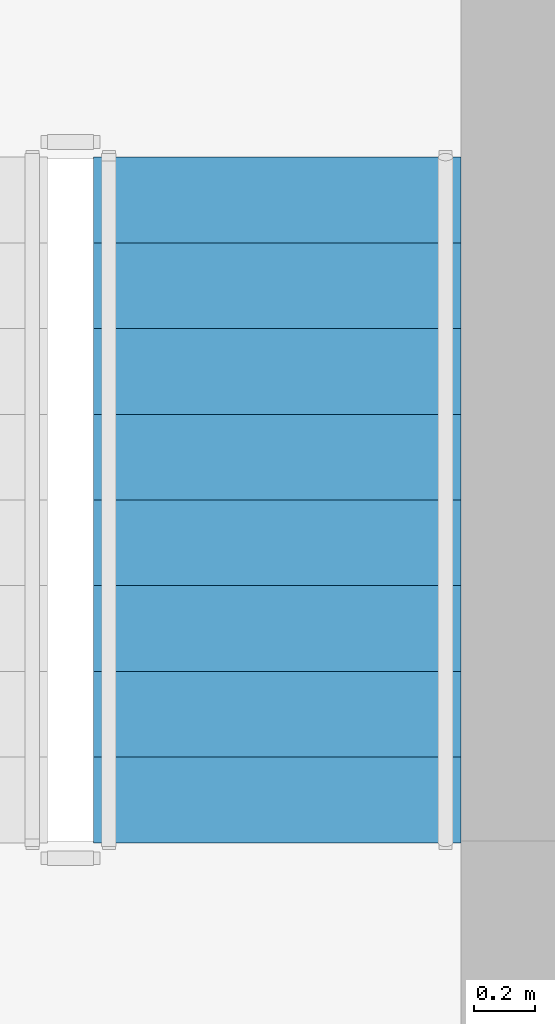
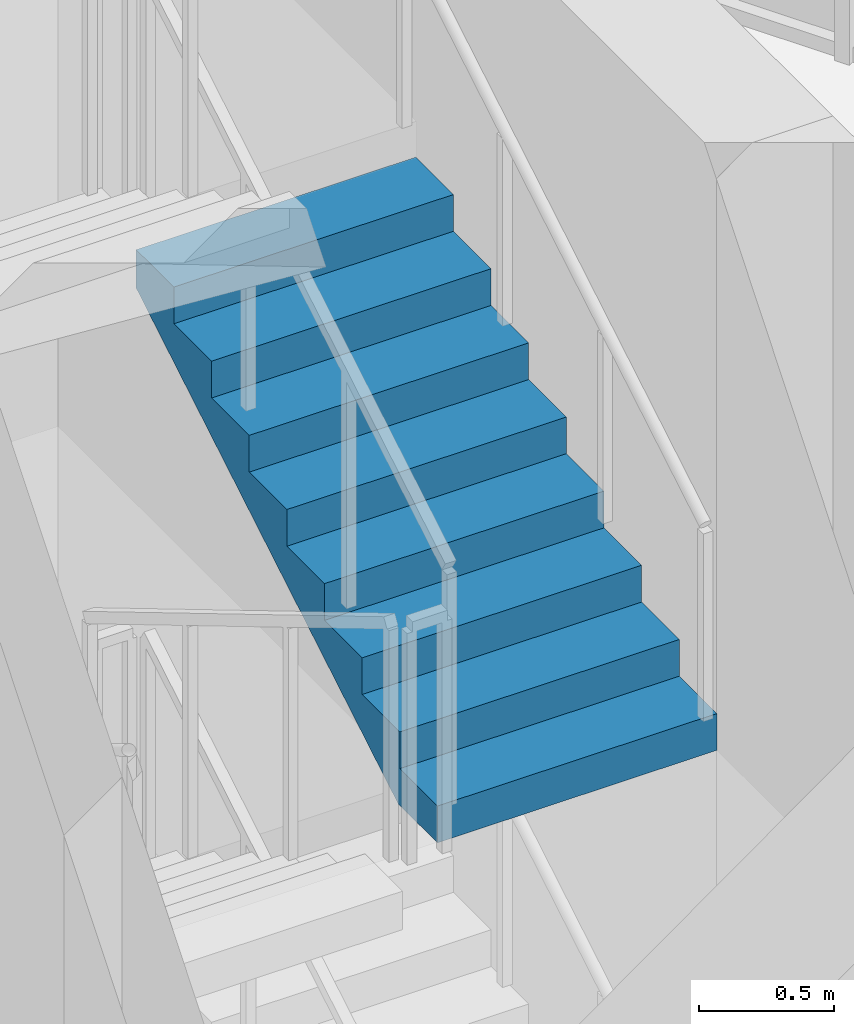
# One storey, part 11 of 14: 1 stair flight, 1 element without a shape of its own.
"""IFC4 building model written with IfcOpenShell, lengths in metres."""

from ifc_helpers import new_model, si_unit, direction, frame, origin, place, context, subcontext, project, spatial, polyline, outline, extrude, material, type_object, element, aggregate, save


model = new_model("IFC4")

# Units and contexts
model_context = context("Model", 3, precision=1e-05, world=origin(), true_north=direction((0.0, 1.0)))
body_context = subcontext(model_context, "Body", "Model", "MODEL_VIEW")
ifc_project = project(units=[si_unit("LENGTHUNIT", "METRE"), si_unit("AREAUNIT", "SQUARE_METRE"), si_unit("VOLUMEUNIT", "CUBIC_METRE"), si_unit("PLANEANGLEUNIT", "RADIAN"), si_unit("MASSUNIT", "GRAM", prefix="KILO")], contexts=[model_context])

# Site, building, storey
site_placement = place(None, origin())
site = spatial("IfcSite", under=ifc_project, at=site_placement, CompositionType="ELEMENT")
building_placement = place(site_placement, origin())
building = spatial("IfcBuilding", under=site, at=building_placement, Name="Apuvela Tower Hotel", CompositionType="ELEMENT")
storey_placement = place(building_placement, frame((0.0, 0.0, 131.60009765625)))
storey = spatial("IfcBuildingStorey", under=building, at=storey_placement, Name="L31", CompositionType="ELEMENT", Elevation=131.60009765625)

# Stair, stair flight
ifc_material = material(Name="Concrete C50/60", Category="concrete")
stair_type = type_object("IfcStairType", Name="COR-STAIR-36R", PredefinedType="HALF_TURN_STAIR", material=ifc_material)
stair_placement = place(storey_placement, origin())
stair = element("IfcStair", 1, at=stair_placement, inside=storey, type_object=stair_type, Name="L31 Exit stair ST1", PredefinedType="HALF_TURN_STAIR")
stair_flight_type = type_object("IfcStairFlightType", Name="COR-FLIGHT-9R", PredefinedType="STRAIGHT", material=ifc_material)
stair_flight_placement = place(storey_placement, frame((4.39990234375, 14.60009765625, 3.0), z_axis=(0.0, 0.0, 1.0), x_axis=(0.0, 1.0, 0.0)))
stair_flight = element("IfcStairFlight", 2, at=stair_flight_placement, type_object=stair_flight_type, Name="ST1 flight 3", NumberOfRisers=9, NumberOfTreads=8, PredefinedType="STRAIGHT", RiserHeight=0.166666667, TreadLength=0.28, context=body_context, shape_type="SweptSolid", body=[
    extrude(outline(polyline([(0.0, 0.0), (0.0, 0.166748046875), (0.280029296875, 0.166748046875), (0.280029296875, 0.333251953125), (0.56005859375, 0.333251953125), (0.56005859375, 0.5), (0.840087890625, 0.5), (0.840087890625, 0.666748046875), (1.1201171875, 0.666748046875), (1.1201171875, 0.833251953125), (1.39990234375, 0.833251953125), (1.39990234375, 1.0), (1.679931640625, 1.0), (1.679931640625, 1.166748046875), (1.9599609375, 1.166748046875), (1.9599609375, 1.333251953125), (2.239990234375, 1.333251953125), (2.239990234375, 1.5), (2.239990234375, 1.158935546875), (0.29296875, 0.0), (0.0, 0.0)])), frame((0.0, 0.60009765625, 0.0), z_axis=(0.0, -1.0, 0.0), x_axis=(1.0, 0.0, 0.0)), (0.0, 0.0, 1.0), 1.199951171875),
])
aggregate(stair, [stair_flight])

save(model, "model.ifc")
